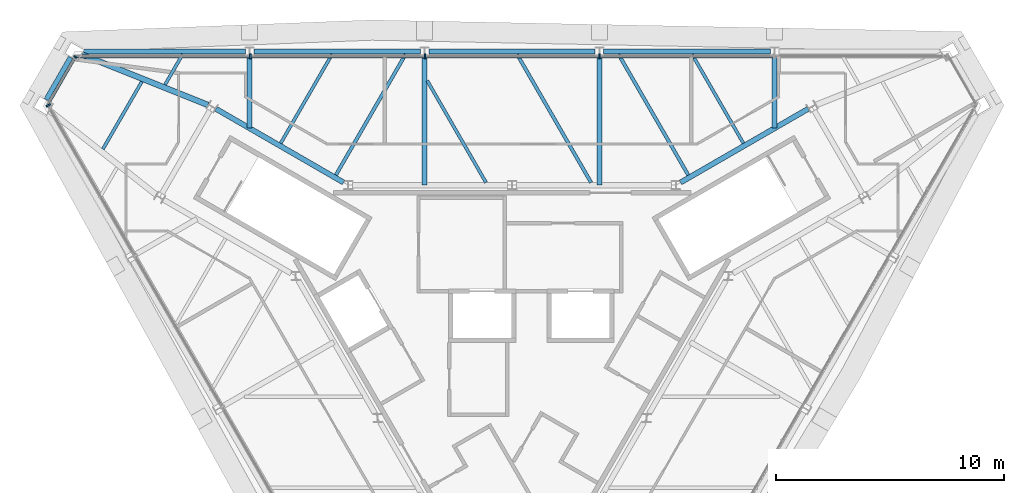
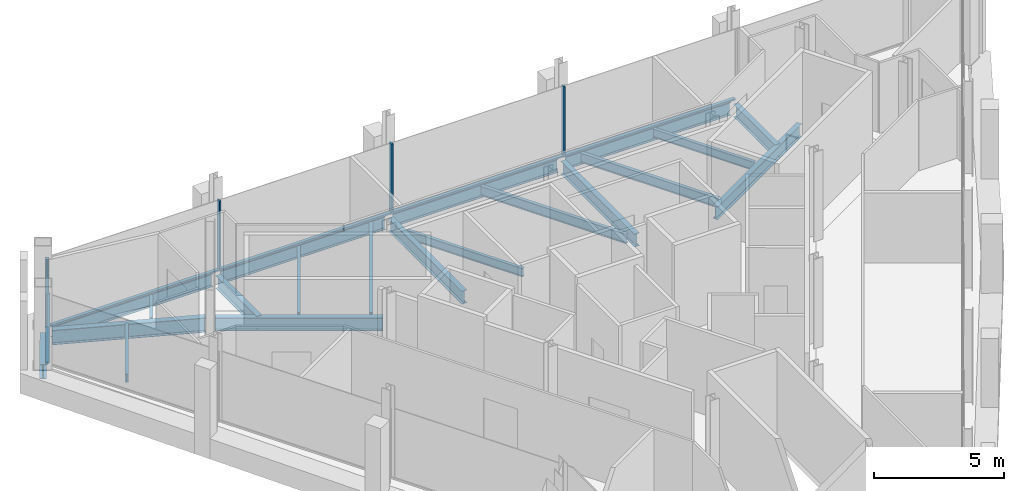
# One storey, part 6 of 11: 20 beams, 10 members, 3 elements without a shape of their own.
"""IFC4 building model written with IfcOpenShell, lengths in metres."""

from ifc_helpers import new_model, si_unit, direction, frame, origin, origin_2d, place, context, subcontext, project, spatial, rectangle, i_section, extrude, material, material_profile, profile_set, type_object, element, aggregate, save


model = new_model("IFC4")

# Units and contexts
model_context = context("Model", 3, precision=1e-05, world=origin(), true_north=direction((0.0, 1.0)))
body_context = subcontext(model_context, "Body", "Model", "MODEL_VIEW")
ifc_project = project(units=[si_unit("LENGTHUNIT", "METRE"), si_unit("AREAUNIT", "SQUARE_METRE"), si_unit("VOLUMEUNIT", "CUBIC_METRE"), si_unit("PLANEANGLEUNIT", "RADIAN"), si_unit("MASSUNIT", "GRAM", prefix="KILO")], contexts=[model_context])

# Site, building, storey
site_placement = place(None, origin())
site = spatial("IfcSite", under=ifc_project, at=site_placement, CompositionType="ELEMENT")
building_placement = place(site_placement, origin())
building = spatial("IfcBuilding", under=site, at=building_placement, Name="Verrane Prism Tower", CompositionType="ELEMENT")
storey_placement = place(building_placement, frame((0.0, 0.0, 329.39990234375)))
storey = spatial("IfcBuildingStorey", under=building, at=storey_placement, Name="L83", CompositionType="ELEMENT", Elevation=329.39990234375)

# Beams
ifc_material_1 = material(Name="Steel A992", Category="steel")
ifc_material_profile_1 = material_profile(ifc_material_1, i_section(OverallWidth=0.25390625, OverallDepth=0.683349609375, WebThickness=0.012451171875, FlangeThickness=0.01904296875, FilletRadius=0.01513671875, at=origin_2d()), Name="W27x94")
ifc_profile_set_1 = profile_set([ifc_material_profile_1], Name="Steel A992")
beam_type_1 = type_object("IfcBeamType", Name="Chamfer spandrel beam W27x94", PredefinedType="SPANDREL", material=ifc_profile_set_1)
beam_1_placement = place(storey_placement, frame((-19.320068359375, 12.390380859375, -0.50146484375), z_axis=(-0.500486898547, -0.865744110221, 0.0), x_axis=(0.865744110221, -0.500486898547, 0.0)))
element("IfcBeam", 1, at=beam_1_placement, inside=storey, type_object=beam_type_1, Name="Chamfer spandrel beam L83", PredefinedType="SPANDREL", context=body_context, shape_type="SweptSolid", body=[
    extrude(i_section(OverallWidth=0.25390625, OverallDepth=0.683349609375, WebThickness=0.012451171875, FlangeThickness=0.01904296875, FilletRadius=0.01513671875, at=origin_2d()), origin(), (0.0, 0.0, 1.0), 2.137451171875),
])
ifc_material_2 = material(Name="Steel A992", Category="steel")
ifc_material_profile_2 = material_profile(ifc_material_2, i_section(OverallWidth=0.228271484375, OverallDepth=0.607177734375, WebThickness=0.01123046875, FlangeThickness=0.017333984375, FilletRadius=0.0126953125, at=origin_2d()), Name="W24x76")
ifc_profile_set_2 = profile_set([ifc_material_profile_2], Name="Steel A992")
beam_type_2 = type_object("IfcBeamType", Name="Core ring girder W24x76", PredefinedType="BEAM", material=ifc_profile_set_2)
for number, where, z_axis, x_axis, name in (
    (2, (12.972900390625, 10.1435546875, -0.553466796875), (-0.866085504117, -0.499895888719, 0.0), (0.499895888719, -0.866085504117, 0.0), "Core ring girder L83"),
    (3, (-7.37939453125, 6.9150390625, -0.553466796875), (-0.866085504117, 0.499895888719, 0.0), (-0.499895888719, -0.866085504117, 0.0), "Core ring girder L83"),
):
    element("IfcBeam", number, at=place(storey_placement, frame(where, z_axis=z_axis, x_axis=x_axis)), inside=storey, type_object=beam_type_2, Name=name, PredefinedType="BEAM", context=body_context, shape_type="SweptSolid", body=[
        extrude(i_section(OverallWidth=0.228271484375, OverallDepth=0.607177734375, WebThickness=0.01123046875, FlangeThickness=0.017333984375, FilletRadius=0.0126953125, at=origin_2d()), origin(), (0.0, 0.0, 1.0), 6.45849609375),
    ])
ifc_material_3 = material(Name="Steel A992", Category="steel")
ifc_material_profile_3 = material_profile(ifc_material_3, i_section(OverallWidth=0.25390625, OverallDepth=0.683349609375, WebThickness=0.012451171875, FlangeThickness=0.01904296875, FilletRadius=0.01513671875, at=origin_2d()), Name="W27x94")
ifc_profile_set_3 = profile_set([ifc_material_profile_3], Name="Steel A992")
beam_type_3 = type_object("IfcBeamType", Name="Corner girder W27x94", PredefinedType="BEAM", material=ifc_profile_set_3)
beam_2_placement = place(storey_placement, frame((-18.841552734375, 12.518798828125, -0.5615234375), z_axis=(0.928587103525, -0.371114525675, 0.0), x_axis=(0.371114525675, 0.928587103525, 0.0)))
element("IfcBeam", 4, at=beam_2_placement, inside=storey, type_object=beam_type_3, Name="Corner girder L83", PredefinedType="BEAM", context=body_context, shape_type="SweptSolid", body=[
    extrude(i_section(OverallWidth=0.25390625, OverallDepth=0.683349609375, WebThickness=0.012451171875, FlangeThickness=0.01904296875, FilletRadius=0.01513671875, at=origin_2d()), origin(), (0.0, 0.0, 1.0), 5.945068359375),
])
ifc_material_4 = material(Name="Steel A992", Category="steel")
ifc_material_profile_4 = material_profile(ifc_material_4, i_section(OverallWidth=0.140380859375, OverallDepth=0.40380859375, WebThickness=0.007080078125, FlangeThickness=0.01123046875, FilletRadius=0.01025390625, at=origin_2d()), Name="W16x31")
ifc_profile_set_4 = profile_set([ifc_material_profile_4], Name="Steel A992")
beam_type_4 = type_object("IfcBeamType", Name="Floor beam W16x31", PredefinedType="BEAM", material=ifc_profile_set_4)
beam_3_placement = place(storey_placement, frame((10.135498046875, 8.635009765625, -0.36181640625), z_axis=(-0.500003959331, 0.866023117852, 0.0), x_axis=(-0.866023117852, -0.500003959331, 0.0)))
element("IfcBeam", 5, at=beam_3_placement, inside=storey, type_object=beam_type_4, Name="Floor beam L83", PredefinedType="BEAM", context=body_context, shape_type="SweptSolid", body=[
    extrude(i_section(OverallWidth=0.140380859375, OverallDepth=0.40380859375, WebThickness=0.007080078125, FlangeThickness=0.01123046875, FilletRadius=0.01025390625, at=origin_2d()), origin(), (0.0, 0.0, 1.0), 4.50439453125),
])
beam_4_placement = place(storey_placement, frame((-1.140380859375, 6.9140625, -0.36181640625), z_axis=(-0.500023314225, 0.866011942892, 0.0), x_axis=(-0.866011942892, -0.500023314225, 0.0)))
element("IfcBeam", 6, at=beam_4_placement, inside=storey, type_object=beam_type_4, Name="Floor beam L83", PredefinedType="BEAM", context=body_context, shape_type="SweptSolid", body=[
    extrude(i_section(OverallWidth=0.140380859375, OverallDepth=0.40380859375, WebThickness=0.007080078125, FlangeThickness=0.01123046875, FilletRadius=0.01025390625, at=origin_2d()), origin(), (0.0, 0.0, 1.0), 5.151123046875),
])
beam_5_placement = place(storey_placement, frame((-10.135498046875, 8.635009765625, -0.36181640625), z_axis=(0.500003959331, 0.866023117852, 0.0), x_axis=(-0.866023117852, 0.500003959331, 0.0)))
element("IfcBeam", 7, at=beam_5_placement, inside=storey, type_object=beam_type_4, Name="Floor beam L83", PredefinedType="BEAM", context=body_context, shape_type="SweptSolid", body=[
    extrude(i_section(OverallWidth=0.140380859375, OverallDepth=0.40380859375, WebThickness=0.007080078125, FlangeThickness=0.01123046875, FilletRadius=0.01025390625, at=origin_2d()), origin(), (0.0, 0.0, 1.0), 4.50439453125),
])
beam_6_placement = place(storey_placement, frame((-15.201904296875, 11.20068359375, -0.36181640625), z_axis=(0.50005597947, 0.86599308161, 0.0), x_axis=(-0.86599308161, 0.50005597947, 0.0)))
element("IfcBeam", 8, at=beam_6_placement, inside=storey, type_object=beam_type_4, Name="Floor beam L83", PredefinedType="BEAM", context=body_context, shape_type="SweptSolid", body=[
    extrude(i_section(OverallWidth=0.140380859375, OverallDepth=0.40380859375, WebThickness=0.007080078125, FlangeThickness=0.01123046875, FilletRadius=0.01025390625, at=origin_2d()), origin(), (0.0, 0.0, 1.0), 1.541748046875),
])
beam_7_placement = place(storey_placement, frame((-17.925048828125, 8.380615234375, -0.36181640625), z_axis=(0.500042619005, 0.866000796292, 0.0), x_axis=(-0.866000796292, 0.500042619005, 0.0)))
element("IfcBeam", 9, at=beam_7_placement, inside=storey, type_object=beam_type_4, Name="Floor beam L83", PredefinedType="BEAM", context=body_context, shape_type="SweptSolid", body=[
    extrude(i_section(OverallWidth=0.140380859375, OverallDepth=0.40380859375, WebThickness=0.007080078125, FlangeThickness=0.01123046875, FilletRadius=0.01025390625, at=origin_2d()), origin(), (0.0, 0.0, 1.0), 3.410400390625),
])
ifc_material_5 = material(Name="Steel A992", Category="steel")
ifc_material_profile_5 = material_profile(ifc_material_5, i_section(OverallWidth=0.15234375, OverallDepth=0.449462890625, WebThickness=0.007568359375, FlangeThickness=0.0107421875, FilletRadius=0.01025390625, at=origin_2d()), Name="W18x35")
ifc_profile_set_5 = profile_set([ifc_material_profile_5], Name="Steel A992")
beam_type_5 = type_object("IfcBeamType", Name="Floor beam W18x35", PredefinedType="BEAM", material=ifc_profile_set_5)
beam_8_placement = place(storey_placement, frame((7.718994140625, 7.2421875, -0.384765625), z_axis=(-0.500009409241, 0.866019971289, 0.0), x_axis=(-0.866019971289, -0.500009409241, 0.0)))
element("IfcBeam", 10, at=beam_8_placement, inside=storey, type_object=beam_type_5, Name="Floor beam L83", PredefinedType="BEAM", context=body_context, shape_type="SweptSolid", body=[
    extrude(i_section(OverallWidth=0.15234375, OverallDepth=0.449462890625, WebThickness=0.007568359375, FlangeThickness=0.0107421875, FilletRadius=0.01025390625, at=origin_2d()), origin(), (0.0, 0.0, 1.0), 6.11279296875),
])
beam_9_placement = place(storey_placement, frame((3.46240234375, 6.9140625, -0.384765625), z_axis=(-0.499981816164, 0.866035901972, 0.0), x_axis=(-0.866035901972, -0.499981816164, 0.0)))
element("IfcBeam", 11, at=beam_9_placement, inside=storey, type_object=beam_type_5, Name="Floor beam L83", PredefinedType="BEAM", context=body_context, shape_type="SweptSolid", body=[
    extrude(i_section(OverallWidth=0.15234375, OverallDepth=0.449462890625, WebThickness=0.007568359375, FlangeThickness=0.0107421875, FilletRadius=0.01025390625, at=origin_2d()), origin(), (0.0, 0.0, 1.0), 6.491455078125),
])
beam_10_placement = place(storey_placement, frame((-7.718994140625, 7.2421875, -0.384765625), z_axis=(0.500009409241, 0.866019971289, 0.0), x_axis=(-0.866019971289, 0.500009409241, 0.0)))
element("IfcBeam", 12, at=beam_10_placement, inside=storey, type_object=beam_type_5, Name="Floor beam L83", PredefinedType="BEAM", context=body_context, shape_type="SweptSolid", body=[
    extrude(i_section(OverallWidth=0.15234375, OverallDepth=0.449462890625, WebThickness=0.007568359375, FlangeThickness=0.0107421875, FilletRadius=0.01025390625, at=origin_2d()), origin(), (0.0, 0.0, 1.0), 6.11279296875),
])

# Curtain wall, member
ifc_material_6 = material(Name="Aluminium framed insulated glazing", Category="aluminium")
curtain_wall_type_1 = type_object("IfcCurtainWallType", Name="Curtain wall CW-B 5600 module", PredefinedType="NOTDEFINED", material=ifc_material_6)
curtain_wall_1_placement = place(storey_placement, origin())
curtain_wall_1 = element("IfcCurtainWall", 13, at=curtain_wall_1_placement, inside=storey, type_object=curtain_wall_type_1, Name="Glazed curtain wall north-west corner L83", PredefinedType="NOTDEFINED")
ifc_material_7 = material(Name="Aluminium alloy 6063-T6", Category="aluminium")
ifc_material_profile_6 = material_profile(ifc_material_7, rectangle(XDim=0.159912109375, YDim=0.06005859375, at=origin_2d()), Name="Mullion 60x160 aluminium")
ifc_profile_set_6 = profile_set([ifc_material_profile_6], Name="Aluminium alloy 6063-T6")
member_type_1 = type_object("IfcMemberType", Name="Mullion 60x160 aluminium", PredefinedType="MULLION", material=ifc_profile_set_6)
member_1_placement = place(storey_placement, frame((-19.12890625, 12.421142578125, 0.0), z_axis=(0.0, 0.0, 1.0), x_axis=(0.866024860131, -0.500000941634, 0.0)))
member_1 = element("IfcMember", 14, at=member_1_placement, type_object=member_type_1, Name="CW83.3 mullion 1", PredefinedType="MULLION", context=body_context, shape_type="SweptSolid", body=[
    extrude(rectangle(XDim=0.159912109375, YDim=0.06005859375, at=origin_2d()), origin(), (0.0, 0.0, 1.0), 3.296875),
])

# Curtain wall, members
ifc_material_8 = material(Name="Aluminium framed insulated glazing", Category="aluminium")
curtain_wall_type_2 = type_object("IfcCurtainWallType", Name="Curtain wall CW-A 8400 module", PredefinedType="NOTDEFINED", material=ifc_material_8)
curtain_wall_2_placement = place(storey_placement, origin())
curtain_wall_2 = element("IfcCurtainWall", 15, at=curtain_wall_2_placement, inside=storey, type_object=curtain_wall_type_2, Name="Glazed curtain wall north face L83", PredefinedType="NOTDEFINED")
ifc_material_9 = material(Name="Aluminium alloy 6063-T6", Category="aluminium")
ifc_material_profile_7 = material_profile(ifc_material_9, rectangle(XDim=0.199951171875, YDim=0.070068359375, at=origin_2d()), Name="Mullion 70x200 aluminium")
ifc_profile_set_7 = profile_set([ifc_material_profile_7], Name="Aluminium alloy 6063-T6")
member_type_2 = type_object("IfcMemberType", Name="Mullion 70x200 aluminium", PredefinedType="MULLION", material=ifc_profile_set_7)
member_2_placement = place(storey_placement, frame((3.82275390625, 12.447265625, 0.0), z_axis=(0.0, 0.0, 1.0), x_axis=(0.0, -1.0, 0.0)))
member_2 = element("IfcMember", 16, at=member_2_placement, type_object=member_type_2, Name="CW83.2 mullion 3", PredefinedType="MULLION", context=body_context, shape_type="SweptSolid", body=[
    extrude(rectangle(XDim=0.199951171875, YDim=0.070068359375, at=origin_2d()), origin(), (0.0, 0.0, 1.0), 3.296875),
])
member_3_placement = place(storey_placement, frame((-3.82275390625, 12.447265625, 0.0), z_axis=(0.0, 0.0, 1.0), x_axis=(0.0, -1.0, 0.0)))
member_3 = element("IfcMember", 17, at=member_3_placement, type_object=member_type_2, Name="CW83.2 mullion 4", PredefinedType="MULLION", context=body_context, shape_type="SweptSolid", body=[
    extrude(rectangle(XDim=0.199951171875, YDim=0.070068359375, at=origin_2d()), origin(), (0.0, 0.0, 1.0), 3.296875),
])
member_4_placement = place(storey_placement, frame((-11.468505859375, 12.447265625, 0.0), z_axis=(0.0, 0.0, 1.0), x_axis=(0.0, -1.0, 0.0)))
member_4 = element("IfcMember", 18, at=member_4_placement, type_object=member_type_2, Name="CW83.2 mullion 5", PredefinedType="MULLION", context=body_context, shape_type="SweptSolid", body=[
    extrude(rectangle(XDim=0.199951171875, YDim=0.070068359375, at=origin_2d()), origin(), (0.0, 0.0, 1.0), 3.296875),
])

# Curtain wall, member
curtain_wall_3_placement = place(storey_placement, origin())
curtain_wall_3 = element("IfcCurtainWall", 19, at=curtain_wall_3_placement, inside=storey, type_object=curtain_wall_type_2, Name="Glazed curtain wall south-west face L83", PredefinedType="NOTDEFINED")
member_5_placement = place(storey_placement, frame((-20.319091796875, 10.29931640625, 0.0), z_axis=(0.0, 0.0, 1.0), x_axis=(0.866025278644, 0.500000216749, 0.0)))
member_5 = element("IfcMember", 20, at=member_5_placement, type_object=member_type_2, Name="CW83.4 mullion 1", PredefinedType="MULLION", context=body_context, shape_type="SweptSolid", body=[
    extrude(rectangle(XDim=0.199951171875, YDim=0.070068359375, at=origin_2d()), origin(), (0.0, 0.0, 1.0), 3.296875),
])
aggregate(curtain_wall_3, [member_5])

# Beams
ifc_material_10 = material(Name="Steel A992", Category="steel")
ifc_material_profile_8 = material_profile(ifc_material_10, i_section(OverallWidth=0.228271484375, OverallDepth=0.607177734375, WebThickness=0.01123046875, FlangeThickness=0.017333984375, FilletRadius=0.0126953125, at=origin_2d()), Name="W24x76")
ifc_profile_set_8 = profile_set([ifc_material_profile_8], Name="Steel A992")
beam_type_6 = type_object("IfcBeamType", Name="Radial girder W24x76", PredefinedType="BEAM", material=ifc_profile_set_8)
beam_11_placement = place(storey_placement, frame((11.5, 12.4658203125, -0.5234375), z_axis=(0.0, -1.0, 0.0), x_axis=(1.0, 0.0, 0.0)))
element("IfcBeam", 21, at=beam_11_placement, inside=storey, type_object=beam_type_6, Name="Radial girder L83", PredefinedType="BEAM", context=body_context, shape_type="SweptSolid", body=[
    extrude(i_section(OverallWidth=0.228271484375, OverallDepth=0.607177734375, WebThickness=0.01123046875, FlangeThickness=0.017333984375, FilletRadius=0.0126953125, at=origin_2d()), origin(), (0.0, 0.0, 1.0), 3.17236328125),
])
for number, where, z_axis, x_axis, name in (
    (22, (3.830078125, 12.4658203125, -0.5234375), (0.0, -1.0, 0.0), (1.0, 0.0, 0.0), "Radial girder L83"),
    (23, (-3.830078125, 12.4658203125, -0.5234375), (0.0, -1.0, 0.0), (1.0, 0.0, 0.0), "Radial girder L83"),
):
    element("IfcBeam", number, at=place(storey_placement, frame(where, z_axis=z_axis, x_axis=x_axis)), inside=storey, type_object=beam_type_6, Name=name, PredefinedType="BEAM", context=body_context, shape_type="SweptSolid", body=[
        extrude(i_section(OverallWidth=0.228271484375, OverallDepth=0.607177734375, WebThickness=0.01123046875, FlangeThickness=0.017333984375, FilletRadius=0.0126953125, at=origin_2d()), origin(), (0.0, 0.0, 1.0), 5.665771484375),
    ])
beam_12_placement = place(storey_placement, frame((-11.5, 12.4658203125, -0.5234375), z_axis=(0.0, -1.0, 0.0), x_axis=(1.0, 0.0, 0.0)))
element("IfcBeam", 24, at=beam_12_placement, inside=storey, type_object=beam_type_6, Name="Radial girder L83", PredefinedType="BEAM", context=body_context, shape_type="SweptSolid", body=[
    extrude(i_section(OverallWidth=0.228271484375, OverallDepth=0.607177734375, WebThickness=0.01123046875, FlangeThickness=0.017333984375, FilletRadius=0.0126953125, at=origin_2d()), origin(), (0.0, 0.0, 1.0), 3.17236328125),
])
ifc_material_11 = material(Name="Steel A992", Category="steel")
ifc_material_profile_9 = material_profile(ifc_material_11, i_section(OverallWidth=0.228271484375, OverallDepth=0.607177734375, WebThickness=0.01123046875, FlangeThickness=0.017333984375, FilletRadius=0.0126953125, at=origin_2d()), Name="W24x76")
ifc_profile_set_9 = profile_set([ifc_material_profile_9], Name="Steel A992")
beam_type_7 = type_object("IfcBeamType", Name="Spandrel beam W24x76", PredefinedType="SPANDREL", material=ifc_profile_set_9)
beam_13_placement = place(storey_placement, frame((11.313232421875, 12.64990234375, -0.46337890625), z_axis=(-1.0, 0.0, 0.0), x_axis=(0.0, -1.0, 0.0)))
element("IfcBeam", 25, at=beam_13_placement, inside=storey, type_object=beam_type_7, Name="Spandrel beam L83", PredefinedType="SPANDREL", context=body_context, shape_type="SweptSolid", body=[
    extrude(i_section(OverallWidth=0.228271484375, OverallDepth=0.607177734375, WebThickness=0.01123046875, FlangeThickness=0.017333984375, FilletRadius=0.0126953125, at=origin_2d()), origin(), (0.0, 0.0, 1.0), 7.296630859375),
])
beam_14_placement = place(storey_placement, frame((3.643310546875, 12.64990234375, -0.46337890625), z_axis=(-1.0, 0.0, 0.0), x_axis=(0.0, -1.0, 0.0)))
element("IfcBeam", 26, at=beam_14_placement, inside=storey, type_object=beam_type_7, Name="Spandrel beam L83", PredefinedType="SPANDREL", context=body_context, shape_type="SweptSolid", body=[
    extrude(i_section(OverallWidth=0.228271484375, OverallDepth=0.607177734375, WebThickness=0.01123046875, FlangeThickness=0.017333984375, FilletRadius=0.0126953125, at=origin_2d()), origin(), (0.0, 0.0, 1.0), 7.28662109375),
])
beam_15_placement = place(storey_placement, frame((-4.0166015625, 12.64990234375, -0.46337890625), z_axis=(-1.0, 0.0, 0.0), x_axis=(0.0, -1.0, 0.0)))
element("IfcBeam", 27, at=beam_15_placement, inside=storey, type_object=beam_type_7, Name="Spandrel beam L83", PredefinedType="SPANDREL", context=body_context, shape_type="SweptSolid", body=[
    extrude(i_section(OverallWidth=0.228271484375, OverallDepth=0.607177734375, WebThickness=0.01123046875, FlangeThickness=0.017333984375, FilletRadius=0.0126953125, at=origin_2d()), origin(), (0.0, 0.0, 1.0), 7.296630859375),
])
beam_16_placement = place(storey_placement, frame((-11.686767578125, 12.64990234375, -0.46337890625), z_axis=(-1.0, 0.0, 0.0), x_axis=(0.0, -1.0, 0.0)))
element("IfcBeam", 28, at=beam_16_placement, inside=storey, type_object=beam_type_7, Name="Spandrel beam L83", PredefinedType="SPANDREL", context=body_context, shape_type="SweptSolid", body=[
    extrude(i_section(OverallWidth=0.228271484375, OverallDepth=0.607177734375, WebThickness=0.01123046875, FlangeThickness=0.017333984375, FilletRadius=0.0126953125, at=origin_2d()), origin(), (0.0, 0.0, 1.0), 7.0791015625),
])

# Member
ifc_material_12 = material(Name="Aluminium alloy 6063-T6", Category="aluminium")
ifc_material_profile_10 = material_profile(ifc_material_12, rectangle(XDim=0.1201171875, YDim=0.06005859375, at=origin_2d()), Name="Transom 60x120 aluminium")
ifc_profile_set_10 = profile_set([ifc_material_profile_10], Name="Aluminium alloy 6063-T6")
member_type_3 = type_object("IfcMemberType", Name="Transom 60x120 aluminium", PredefinedType="USERDEFINED", material=ifc_profile_set_10)
member_6_placement = place(storey_placement, frame((-19.14404296875, 12.395263671875, 0.030029296875), z_axis=(-0.50000302246, -0.866023658759, 0.0), x_axis=(0.866023658759, -0.50000302246, 0.0)))
member_6 = element("IfcMember", 29, at=member_6_placement, type_object=member_type_3, Name="CW83.3 transom 1", ObjectType="TRANSOM", PredefinedType="USERDEFINED", context=body_context, shape_type="SweptSolid", body=[
    extrude(rectangle(XDim=0.1201171875, YDim=0.06005859375, at=origin_2d()), origin(), (0.0, 0.0, 1.0), 2.38525390625),
])

aggregate(curtain_wall_1, [member_1, member_6])

ifc_material_13 = material(Name="Aluminium alloy 6063-T6", Category="aluminium")
ifc_material_profile_11 = material_profile(ifc_material_13, rectangle(XDim=0.14990234375, YDim=0.070068359375, at=origin_2d()), Name="Transom 70x150 aluminium")
ifc_profile_set_11 = profile_set([ifc_material_profile_11], Name="Aluminium alloy 6063-T6")
member_type_4 = type_object("IfcMemberType", Name="Transom 70x150 aluminium", PredefinedType="USERDEFINED", material=ifc_profile_set_11)
member_7_placement = place(storey_placement, frame((11.433349609375, 12.447265625, 0.03515625), z_axis=(-1.0, 0.0, 0.0), x_axis=(0.0, -1.0, 0.0)))
member_7 = element("IfcMember", 30, at=member_7_placement, type_object=member_type_4, Name="CW83.2 transom 2", ObjectType="TRANSOM", PredefinedType="USERDEFINED", context=body_context, shape_type="SweptSolid", body=[
    extrude(rectangle(XDim=0.14990234375, YDim=0.070068359375, at=origin_2d()), origin(), (0.0, 0.0, 1.0), 7.575439453125),
])

member_8_placement = place(storey_placement, frame((3.787841796875, 12.447265625, 0.03515625), z_axis=(-1.0, 0.0, 0.0), x_axis=(0.0, -1.0, 0.0)))
member_8 = element("IfcMember", 31, at=member_8_placement, type_object=member_type_4, Name="CW83.2 transom 3", ObjectType="TRANSOM", PredefinedType="USERDEFINED", context=body_context, shape_type="SweptSolid", body=[
    extrude(rectangle(XDim=0.14990234375, YDim=0.070068359375, at=origin_2d()), origin(), (0.0, 0.0, 1.0), 7.57568359375),
])

member_9_placement = place(storey_placement, frame((-3.85791015625, 12.447265625, 0.03515625), z_axis=(-1.0, 0.0, 0.0), x_axis=(0.0, -1.0, 0.0)))
member_9 = element("IfcMember", 32, at=member_9_placement, type_object=member_type_4, Name="CW83.2 transom 4", ObjectType="TRANSOM", PredefinedType="USERDEFINED", context=body_context, shape_type="SweptSolid", body=[
    extrude(rectangle(XDim=0.14990234375, YDim=0.070068359375, at=origin_2d()), origin(), (0.0, 0.0, 1.0), 7.575439453125),
])

member_10_placement = place(storey_placement, frame((-11.50341796875, 12.447265625, 0.03515625), z_axis=(-1.0, 0.0, 0.0), x_axis=(0.0, -1.0, 0.0)))
member_10 = element("IfcMember", 33, at=member_10_placement, type_object=member_type_4, Name="CW83.2 transom 5", ObjectType="TRANSOM", PredefinedType="USERDEFINED", context=body_context, shape_type="SweptSolid", body=[
    extrude(rectangle(XDim=0.14990234375, YDim=0.070068359375, at=origin_2d()), origin(), (0.0, 0.0, 1.0), 7.610595703125),
])

aggregate(curtain_wall_2, [member_2, member_3, member_4, member_7, member_8, member_9, member_10])

save(model, "model.ifc")
